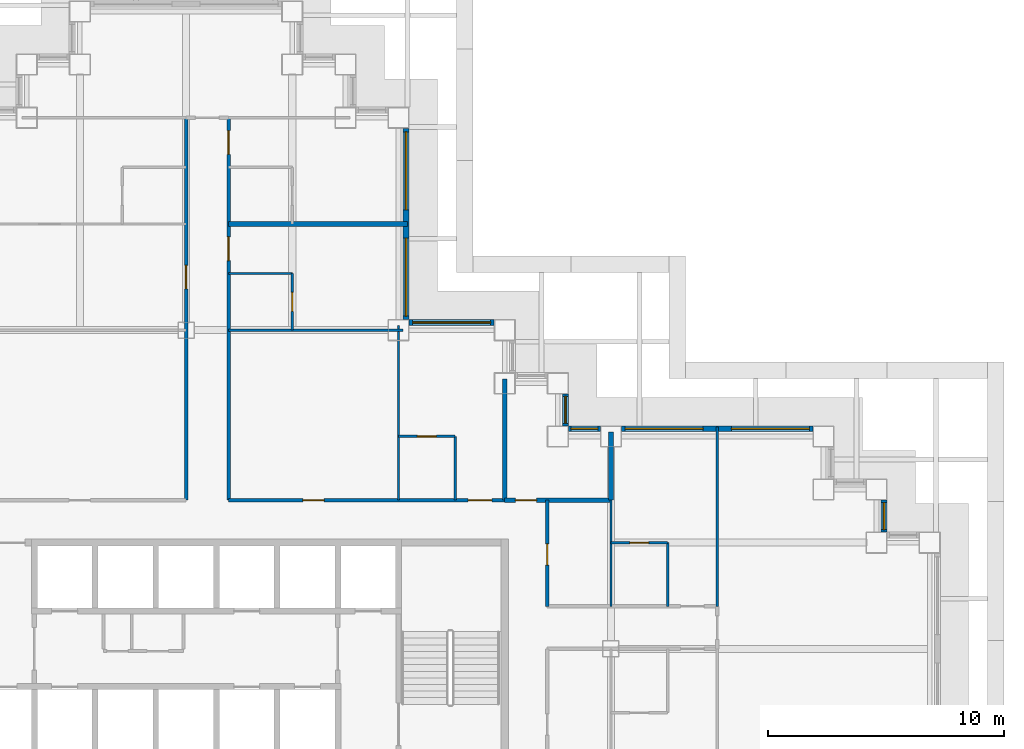
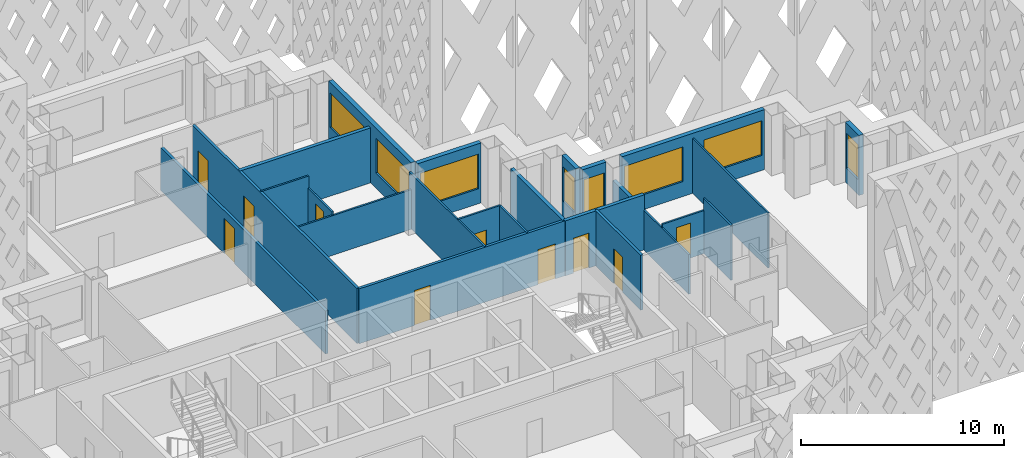
# One storey, part 8 of 21: 24 walls, 10 doors, 8 windows, 18 openings.
"""IFC4 building model written with IfcOpenShell, lengths in metres."""

from ifc_helpers import new_model, si_unit, direction, frame, frame_2d, origin, place, context, subcontext, project, spatial, rectangle, extrude, material, layer, layer_set, type_object, element, fill, save


model = new_model("IFC4")

# Units and contexts
model_context = context("Model", 3, precision=1e-05, world=origin(), true_north=direction((0.0, 1.0)))
body_context = subcontext(model_context, "Body", "Model", "MODEL_VIEW")
ifc_project = project(units=[si_unit("LENGTHUNIT", "METRE"), si_unit("AREAUNIT", "SQUARE_METRE"), si_unit("VOLUMEUNIT", "CUBIC_METRE"), si_unit("PLANEANGLEUNIT", "RADIAN"), si_unit("MASSUNIT", "GRAM", prefix="KILO")], contexts=[model_context])

# Site, building, storey
site_placement = place(None, origin())
site = spatial("IfcSite", under=ifc_project, at=site_placement, CompositionType="ELEMENT")
building_placement = place(site_placement, origin())
building = spatial("IfcBuilding", under=site, at=building_placement, Name="Caravel Reach Hotel and Residences", CompositionType="ELEMENT")
storey_placement = place(building_placement, frame((0.0, 0.0, 115.199951171875)))
storey = spatial("IfcBuildingStorey", under=building, at=storey_placement, Name="L28", CompositionType="ELEMENT", Elevation=115.199951171875)

# Wall, opening, door
ifc_material_1 = material(Name="Gypsum board on steel stud", Category="steel")
ifc_layer_1 = layer(ifc_material_1, 0.10009765625)
ifc_layer_set_1 = layer_set([ifc_layer_1], Name="Bathroom pod wall 100 mm")
wall_type_1 = type_object("IfcWallType", Name="Bathroom pod wall 100 mm", PredefinedType="PARTITIONING", material=ifc_layer_set_1)
wall_1_placement = place(storey_placement, frame((49.5, 31.5, 0.0), z_axis=(0.0, 0.0, 1.0), x_axis=(1.0, 0.0, 0.0)))
wall_1 = element("IfcWall", 1, at=wall_1_placement, inside=storey, type_object=wall_type_1, Name="L28 wall w074", PredefinedType="PARTITIONING", context=body_context, shape_type="SweptSolid", body=[
    extrude(rectangle(XDim=2.39990234375, YDim=0.10009765625, at=frame_2d((1.199951171875, 0.0))), origin(), (0.0, 0.0, 1.0), 2.580078125),
])
opening_1_placement = place(wall_1_placement, frame((0.800048828125, 0.0, 0.0)))
opening_1 = element("IfcOpeningElement", 2, at=opening_1_placement, cuts=wall_1, Name="Opening D28-023", PredefinedType="OPENING", context=body_context, shape_type="SweptSolid", body=[
    extrude(rectangle(XDim=0.800048828125, YDim=2.10009765625, at=frame_2d((0.39990234375, 1.050048828125))), frame((0.0, 0.06005859375, 0.0), z_axis=(0.0, -1.0, 0.0), x_axis=(1.0, 0.0, 0.0)), (0.0, 0.0, 1.0), 0.1201171875),
])
ifc_material_2 = material(Name="Timber and steel door leaf", Category="steel")
door_type_1 = type_object("IfcDoorType", Name="Bathroom door 800 x 2100", OperationType="SINGLE_SWING_LEFT", PredefinedType="DOOR", material=ifc_material_2)
door_1_placement = place(opening_1_placement, origin())
door_1 = element("IfcDoor", 3, at=door_1_placement, inside=storey, type_object=door_type_1, Name="door D28-023", OperationType="SINGLE_SWING_RIGHT", OverallHeight=2.10009765625, OverallWidth=0.800048828125, PredefinedType="DOOR", context=body_context, shape_type="SweptSolid", body=[
    extrude(rectangle(XDim=0.800048828125, YDim=2.10009765625, at=frame_2d((0.39990234375, 1.050048828125))), frame((0.0, 0.02490234375, 0.0), z_axis=(0.0, -1.0, 0.0), x_axis=(1.0, 0.0, 0.0)), (0.0, 0.0, 1.0), 0.050048828125),
])
fill(opening_1, door_1)

wall_2_placement = place(storey_placement, frame((40.5, 36.0, 0.0), z_axis=(0.0, 0.0, 1.0), x_axis=(1.0, 0.0, 0.0)))
wall_2 = element("IfcWall", 4, at=wall_2_placement, inside=storey, type_object=wall_type_1, Name="L28 wall w076", PredefinedType="PARTITIONING", context=body_context, shape_type="SweptSolid", body=[
    extrude(rectangle(XDim=2.39990234375, YDim=0.10009765625, at=frame_2d((1.199951171875, 0.0))), origin(), (0.0, 0.0, 1.0), 3.300048828125),
])
opening_2_placement = place(wall_2_placement, frame((0.800048828125, 0.0, 0.0)))
opening_2 = element("IfcOpeningElement", 5, at=opening_2_placement, cuts=wall_2, Name="Opening D28-043", PredefinedType="OPENING", context=body_context, shape_type="SweptSolid", body=[
    extrude(rectangle(XDim=0.800048828125, YDim=2.10009765625, at=frame_2d((0.39990234375, 1.050048828125))), frame((0.0, 0.06005859375, 0.0), z_axis=(0.0, -1.0, 0.0), x_axis=(1.0, 0.0, 0.0)), (0.0, 0.0, 1.0), 0.1201171875),
])
door_2_placement = place(opening_2_placement, origin())
door_2 = element("IfcDoor", 6, at=door_2_placement, inside=storey, type_object=door_type_1, Name="door D28-043", OperationType="SINGLE_SWING_RIGHT", OverallHeight=2.10009765625, OverallWidth=0.800048828125, PredefinedType="DOOR", context=body_context, shape_type="SweptSolid", body=[
    extrude(rectangle(XDim=0.800048828125, YDim=2.10009765625, at=frame_2d((0.39990234375, 1.050048828125))), frame((0.0, 0.02490234375, 0.0), z_axis=(0.0, -1.0, 0.0), x_axis=(1.0, 0.0, 0.0)), (0.0, 0.0, 1.0), 0.050048828125),
])
fill(opening_2, door_2)

# Wall
wall_3_placement = place(storey_placement, frame((33.300048828125, 42.89990234375, 0.0), z_axis=(0.0, 0.0, 1.0), x_axis=(1.0, 0.0, 0.0)))
element("IfcWall", 7, at=wall_3_placement, inside=storey, type_object=wall_type_1, Name="L28 wall w077", PredefinedType="PARTITIONING", context=body_context, shape_type="SweptSolid", body=[
    extrude(rectangle(XDim=2.699951171875, YDim=0.10009765625, at=frame_2d((1.35009765625, 0.0))), origin(), (0.0, 0.0, 1.0), 3.300048828125),
])

# Wall, opening, door
wall_4_placement = place(storey_placement, frame((36.0, 40.5, 0.0), z_axis=(0.0, 0.0, 1.0), x_axis=(0.0, 1.0, 0.0)))
wall_4 = element("IfcWall", 8, at=wall_4_placement, inside=storey, type_object=wall_type_1, Name="L28 wall w088", PredefinedType="PARTITIONING", context=body_context, shape_type="SweptSolid", body=[
    extrude(rectangle(XDim=2.39990234375, YDim=0.10009765625, at=frame_2d((1.199951171875, 0.0))), origin(), (0.0, 0.0, 1.0), 2.580078125),
])
opening_3_placement = place(wall_4_placement, frame((0.800048828125, 0.0, 0.0)))
opening_3 = element("IfcOpeningElement", 9, at=opening_3_placement, cuts=wall_4, Name="Opening D28-028", PredefinedType="OPENING", context=body_context, shape_type="SweptSolid", body=[
    extrude(rectangle(XDim=0.800048828125, YDim=2.10009765625, at=frame_2d((0.39990234375, 1.050048828125))), frame((0.0, 0.06005859375, 0.0), z_axis=(0.0, -1.0, 0.0), x_axis=(1.0, 0.0, 0.0)), (0.0, 0.0, 1.0), 0.1201171875),
])
door_3_placement = place(opening_3_placement, origin())
door_3 = element("IfcDoor", 10, at=door_3_placement, inside=storey, type_object=door_type_1, Name="door D28-028", OperationType="SINGLE_SWING_RIGHT", OverallHeight=2.10009765625, OverallWidth=0.800048828125, PredefinedType="DOOR", context=body_context, shape_type="SweptSolid", body=[
    extrude(rectangle(XDim=0.800048828125, YDim=2.10009765625, at=frame_2d((0.39990234375, 1.050048828125))), frame((0.0, 0.02490234375, 0.0), z_axis=(0.0, -1.0, 0.0), x_axis=(1.0, 0.0, 0.0)), (0.0, 0.0, 1.0), 0.050048828125),
])
fill(opening_3, door_3)

# Walls
for number, where, z_axis, x_axis, name in (
    (11, (42.89990234375, 33.300048828125, 0.0), (0.0, 0.0, 1.0), (0.0, 1.0, 0.0), "L28 wall w090"),
    (12, (51.89990234375, 28.800048828125, 0.0), (0.0, 0.0, 1.0), (0.0, 1.0, 0.0), "L28 wall w092"),
):
    element("IfcWall", number, at=place(storey_placement, frame(where, z_axis=z_axis, x_axis=x_axis)), inside=storey, type_object=wall_type_1, Name=name, PredefinedType="PARTITIONING", context=body_context, shape_type="SweptSolid", body=[
        extrude(rectangle(XDim=2.699951171875, YDim=0.10009765625, at=frame_2d((1.35009765625, 0.0))), origin(), (0.0, 0.0, 1.0), 3.300048828125),
    ])

# Wall, opening, door
ifc_material_3 = material(Name="Autoclaved aerated block wall")
ifc_layer_2 = layer(ifc_material_3, 0.199951171875)
ifc_layer_set_2 = layer_set([ifc_layer_2], Name="Compartment wall 200 mm EI 120")
wall_type_2 = type_object("IfcWallType", Name="Compartment wall 200 mm EI 120", PredefinedType="PARTITIONING", material=ifc_layer_set_2)
wall_5_placement = place(storey_placement, frame((45.0, 33.300048828125, 0.0), z_axis=(0.0, 0.0, 1.0), x_axis=(1.0, 0.0, 0.0)))
wall_5 = element("IfcWall", 13, at=wall_5_placement, inside=storey, type_object=wall_type_2, Name="L28 wall w094", PredefinedType="PARTITIONING", context=body_context, shape_type="SweptSolid", body=[
    extrude(rectangle(XDim=4.5, YDim=0.199951171875, at=frame_2d((2.25, 0.0))), origin(), (0.0, 0.0, 1.0), 3.300048828125),
])
opening_4_placement = place(wall_5_placement, frame((0.449951171875, 0.0, 0.0)))
opening_4 = element("IfcOpeningElement", 14, at=opening_4_placement, cuts=wall_5, Name="Opening D28-044", PredefinedType="OPENING", context=body_context, shape_type="SweptSolid", body=[
    extrude(rectangle(XDim=0.89990234375, YDim=2.10009765625, at=frame_2d((0.449951171875, 1.050048828125))), frame((0.0, 0.10986328125, 0.0), z_axis=(0.0, -1.0, 0.0), x_axis=(1.0, 0.0, 0.0)), (0.0, 0.0, 1.0), 0.219970703125),
])
ifc_material_4 = material(Name="Steel fire door leaf", Category="steel")
door_type_2 = type_object("IfcDoorType", Name="Riser door 900 x 2100 EI 60", OperationType="SINGLE_SWING_LEFT", PredefinedType="DOOR", material=ifc_material_4)
door_4_placement = place(opening_4_placement, origin())
door_4 = element("IfcDoor", 15, at=door_4_placement, inside=storey, type_object=door_type_2, Name="door D28-044", OperationType="SINGLE_SWING_LEFT", OverallHeight=2.10009765625, OverallWidth=0.89990234375, PredefinedType="DOOR", context=body_context, shape_type="SweptSolid", body=[
    extrude(rectangle(XDim=0.89990234375, YDim=2.10009765625, at=frame_2d((0.449951171875, 1.050048828125))), frame((0.0, 0.02490234375, 0.0), z_axis=(0.0, -1.0, 0.0), x_axis=(1.0, 0.0, 0.0)), (0.0, 0.0, 1.0), 0.050048828125),
])
fill(opening_4, door_4)

# Walls
wall_6_placement = place(storey_placement, frame((45.0, 33.300048828125, 0.0), z_axis=(0.0, 0.0, 1.0), x_axis=(0.0, 1.0, 0.0)))
element("IfcWall", 16, at=wall_6_placement, inside=storey, type_object=wall_type_2, Name="L28 wall w096", PredefinedType="PARTITIONING", context=body_context, shape_type="SweptSolid", body=[
    extrude(rectangle(XDim=5.139892578125, YDim=0.199951171875, at=frame_2d((2.56982421875, 0.0))), origin(), (0.0, 0.0, 1.0), 3.300048828125),
])
wall_7_placement = place(storey_placement, frame((49.5, 33.300048828125, 0.0), z_axis=(0.0, 0.0, 1.0), x_axis=(0.0, 1.0, 0.0)))
element("IfcWall", 17, at=wall_7_placement, inside=storey, type_object=wall_type_2, Name="L28 wall w097", PredefinedType="PARTITIONING", context=body_context, shape_type="SweptSolid", body=[
    extrude(rectangle(XDim=2.889892578125, YDim=0.199951171875, at=frame_2d((1.44482421875, 0.0))), origin(), (0.0, 0.0, 1.0), 2.380126953125),
])

# Wall, openings, doors
ifc_material_5 = material(Name="Gypsum board on steel stud, fire-rated", Category="steel")
ifc_layer_3 = layer(ifc_material_5, 0.14990234375)
ifc_layer_set_3 = layer_set([ifc_layer_3], Name="Corridor wall 150 mm EI 60")
wall_type_3 = type_object("IfcWallType", Name="Corridor wall 150 mm EI 60", PredefinedType="PARTITIONING", material=ifc_layer_set_3)
wall_8_placement = place(storey_placement, frame((33.300048828125, 33.300048828125, 0.0), z_axis=(0.0, 0.0, 1.0), x_axis=(1.0, 0.0, 0.0)))
wall_8 = element("IfcWall", 18, at=wall_8_placement, inside=storey, type_object=wall_type_3, Name="L28 wall w017", PredefinedType="PARTITIONING", context=body_context, shape_type="SweptSolid", body=[
    extrude(rectangle(XDim=11.699951171875, YDim=0.14990234375, at=frame_2d((5.85009765625, 0.0))), origin(), (0.0, 0.0, 1.0), 3.300048828125),
])
opening_5_placement = place(wall_8_placement, frame((10.14990234375, 0.0, 0.0)))
opening_5 = element("IfcOpeningElement", 19, at=opening_5_placement, cuts=wall_8, Name="Opening D28-042", PredefinedType="OPENING", context=body_context, shape_type="SweptSolid", body=[
    extrude(rectangle(XDim=1.0, YDim=2.10009765625, at=frame_2d((0.5, 1.050048828125))), frame((0.0, 0.0849609375, 0.0), z_axis=(0.0, -1.0, 0.0), x_axis=(1.0, 0.0, 0.0)), (0.0, 0.0, 1.0), 0.169921875),
])
opening_6_placement = place(wall_8_placement, frame((3.14990234375, 0.0, 0.0)))
opening_6 = element("IfcOpeningElement", 20, at=opening_6_placement, cuts=wall_8, Name="Opening D28-051", PredefinedType="OPENING", context=body_context, shape_type="SweptSolid", body=[
    extrude(rectangle(XDim=0.89990234375, YDim=2.10009765625, at=frame_2d((0.449951171875, 1.050048828125))), frame((0.0, 0.0849609375, 0.0), z_axis=(0.0, -1.0, 0.0), x_axis=(1.0, 0.0, 0.0)), (0.0, 0.0, 1.0), 0.169921875),
])
ifc_material_6 = material(Name="Timber and steel door leaf", Category="steel")
door_type_3 = type_object("IfcDoorType", Name="Door 900 x 2100 timber", OperationType="SINGLE_SWING_LEFT", PredefinedType="DOOR", material=ifc_material_6)
door_5_placement = place(opening_6_placement, origin())
door_5 = element("IfcDoor", 21, at=door_5_placement, inside=storey, type_object=door_type_3, Name="door D28-051", OperationType="SINGLE_SWING_LEFT", OverallHeight=2.10009765625, OverallWidth=0.89990234375, PredefinedType="DOOR", context=body_context, shape_type="SweptSolid", body=[
    extrude(rectangle(XDim=0.89990234375, YDim=2.10009765625, at=frame_2d((0.449951171875, 1.050048828125))), frame((0.0, 0.02490234375, 0.0), z_axis=(0.0, -1.0, 0.0), x_axis=(1.0, 0.0, 0.0)), (0.0, 0.0, 1.0), 0.050048828125),
])
fill(opening_6, door_5)
ifc_material_7 = material(Name="Steel fire door leaf", Category="steel")
door_type_4 = type_object("IfcDoorType", Name="Guest room door 1000 x 2100 EI 30", OperationType="SINGLE_SWING_LEFT", PredefinedType="DOOR", material=ifc_material_7)
door_6_placement = place(opening_5_placement, origin())
door_6 = element("IfcDoor", 22, at=door_6_placement, inside=storey, type_object=door_type_4, Name="door D28-042", OperationType="SINGLE_SWING_RIGHT", OverallHeight=2.10009765625, OverallWidth=1.0, PredefinedType="DOOR", context=body_context, shape_type="SweptSolid", body=[
    extrude(rectangle(XDim=1.0, YDim=2.10009765625, at=frame_2d((0.5, 1.050048828125))), frame((0.0, 0.02490234375, 0.0), z_axis=(0.0, -1.0, 0.0), x_axis=(1.0, 0.0, 0.0)), (0.0, 0.0, 1.0), 0.050048828125),
])
fill(opening_5, door_6)

# Wall, opening, door
wall_9_placement = place(storey_placement, frame((31.5, 33.300048828125, 0.0), z_axis=(0.0, 0.0, 1.0), x_axis=(0.0, 1.0, 0.0)))
wall_9 = element("IfcWall", 23, at=wall_9_placement, inside=storey, type_object=wall_type_3, Name="L28 wall w026", PredefinedType="PARTITIONING", context=body_context, shape_type="SweptSolid", body=[
    extrude(rectangle(XDim=16.199951171875, YDim=0.14990234375, at=frame_2d((8.10009765625, 0.0))), origin(), (0.0, 0.0, 1.0), 2.580078125),
])
opening_7_placement = place(wall_9_placement, frame((8.949951171875, 0.0, 0.0)))
opening_7 = element("IfcOpeningElement", 24, at=opening_7_placement, cuts=wall_9, Name="Opening D28-024", PredefinedType="OPENING", context=body_context, shape_type="SweptSolid", body=[
    extrude(rectangle(XDim=1.0, YDim=2.10009765625, at=frame_2d((0.5, 1.050048828125))), frame((0.0, 0.0849609375, 0.0), z_axis=(0.0, -1.0, 0.0), x_axis=(1.0, 0.0, 0.0)), (0.0, 0.0, 1.0), 0.169921875),
])
door_7_placement = place(opening_7_placement, origin())
door_7 = element("IfcDoor", 25, at=door_7_placement, inside=storey, type_object=door_type_4, Name="door D28-024", OperationType="SINGLE_SWING_LEFT", OverallHeight=2.10009765625, OverallWidth=1.0, PredefinedType="DOOR", context=body_context, shape_type="SweptSolid", body=[
    extrude(rectangle(XDim=1.0, YDim=2.10009765625, at=frame_2d((0.5, 1.050048828125))), frame((0.0, 0.02490234375, 0.0), z_axis=(0.0, -1.0, 0.0), x_axis=(1.0, 0.0, 0.0)), (0.0, 0.0, 1.0), 0.050048828125),
])
fill(opening_7, door_7)

# Wall, openings, doors
wall_10_placement = place(storey_placement, frame((33.300048828125, 33.300048828125, 0.0), z_axis=(0.0, 0.0, 1.0), x_axis=(0.0, 1.0, 0.0)))
wall_10 = element("IfcWall", 26, at=wall_10_placement, inside=storey, type_object=wall_type_3, Name="L28 wall w032", PredefinedType="PARTITIONING", context=body_context, shape_type="SweptSolid", body=[
    extrude(rectangle(XDim=16.199951171875, YDim=0.14990234375, at=frame_2d((8.10009765625, 0.0))), origin(), (0.0, 0.0, 1.0), 3.300048828125),
])
opening_8_placement = place(wall_10_placement, frame((10.14990234375, 0.0, 0.0)))
opening_8 = element("IfcOpeningElement", 27, at=opening_8_placement, cuts=wall_10, Name="Opening D28-027", PredefinedType="OPENING", context=body_context, shape_type="SweptSolid", body=[
    extrude(rectangle(XDim=1.0, YDim=2.10009765625, at=frame_2d((0.5, 1.050048828125))), frame((0.0, 0.0849609375, 0.0), z_axis=(0.0, -1.0, 0.0), x_axis=(1.0, 0.0, 0.0)), (0.0, 0.0, 1.0), 0.169921875),
])
opening_9_placement = place(wall_10_placement, frame((14.64990234375, 0.0, 0.0)))
opening_9 = element("IfcOpeningElement", 28, at=opening_9_placement, cuts=wall_10, Name="Opening D28-029", PredefinedType="OPENING", context=body_context, shape_type="SweptSolid", body=[
    extrude(rectangle(XDim=1.0, YDim=2.10009765625, at=frame_2d((0.5, 1.050048828125))), frame((0.0, 0.0849609375, 0.0), z_axis=(0.0, -1.0, 0.0), x_axis=(1.0, 0.0, 0.0)), (0.0, 0.0, 1.0), 0.169921875),
])
door_8_placement = place(opening_8_placement, origin())
door_8 = element("IfcDoor", 29, at=door_8_placement, inside=storey, type_object=door_type_4, Name="door D28-027", OperationType="SINGLE_SWING_RIGHT", OverallHeight=2.10009765625, OverallWidth=1.0, PredefinedType="DOOR", context=body_context, shape_type="SweptSolid", body=[
    extrude(rectangle(XDim=1.0, YDim=2.10009765625, at=frame_2d((0.5, 1.050048828125))), frame((0.0, 0.02490234375, 0.0), z_axis=(0.0, -1.0, 0.0), x_axis=(1.0, 0.0, 0.0)), (0.0, 0.0, 1.0), 0.050048828125),
])
fill(opening_8, door_8)
door_9_placement = place(opening_9_placement, origin())
door_9 = element("IfcDoor", 30, at=door_9_placement, inside=storey, type_object=door_type_4, Name="door D28-029", OperationType="SINGLE_SWING_RIGHT", OverallHeight=2.10009765625, OverallWidth=1.0, PredefinedType="DOOR", context=body_context, shape_type="SweptSolid", body=[
    extrude(rectangle(XDim=1.0, YDim=2.10009765625, at=frame_2d((0.5, 1.050048828125))), frame((0.0, 0.02490234375, 0.0), z_axis=(0.0, -1.0, 0.0), x_axis=(1.0, 0.0, 0.0)), (0.0, 0.0, 1.0), 0.050048828125),
])
fill(opening_9, door_9)

# Wall, opening, door
wall_11_placement = place(storey_placement, frame((46.800048828125, 28.800048828125, 0.0), z_axis=(0.0, 0.0, 1.0), x_axis=(0.0, 1.0, 0.0)))
wall_11 = element("IfcWall", 31, at=wall_11_placement, inside=storey, type_object=wall_type_3, Name="L28 wall w033", PredefinedType="PARTITIONING", context=body_context, shape_type="SweptSolid", body=[
    extrude(rectangle(XDim=4.5, YDim=0.14990234375, at=frame_2d((2.25, 0.0))), origin(), (0.0, 0.0, 1.0), 3.300048828125),
])
opening_10_placement = place(wall_11_placement, frame((1.75, 0.0, 0.0)))
opening_10 = element("IfcOpeningElement", 32, at=opening_10_placement, cuts=wall_11, Name="Opening D28-057", PredefinedType="OPENING", context=body_context, shape_type="SweptSolid", body=[
    extrude(rectangle(XDim=0.89990234375, YDim=2.10009765625, at=frame_2d((0.449951171875, 1.050048828125))), frame((0.0, 0.0849609375, 0.0), z_axis=(0.0, -1.0, 0.0), x_axis=(1.0, 0.0, 0.0)), (0.0, 0.0, 1.0), 0.169921875),
])
door_10_placement = place(opening_10_placement, origin())
door_10 = element("IfcDoor", 33, at=door_10_placement, inside=storey, type_object=door_type_3, Name="door D28-057", OperationType="SINGLE_SWING_RIGHT", OverallHeight=2.10009765625, OverallWidth=0.89990234375, PredefinedType="DOOR", context=body_context, shape_type="SweptSolid", body=[
    extrude(rectangle(XDim=0.89990234375, YDim=2.10009765625, at=frame_2d((0.449951171875, 1.050048828125))), frame((0.0, 0.02490234375, 0.0), z_axis=(0.0, -1.0, 0.0), x_axis=(1.0, 0.0, 0.0)), (0.0, 0.0, 1.0), 0.050048828125),
])
fill(opening_10, door_10)

# Wall, opening, window
ifc_material_8 = material(Name="Insulated rainscreen wall, aluminium cladding", Category="aluminium")
ifc_layer_4 = layer(ifc_material_8, 0.25)
ifc_layer_set_4 = layer_set([ifc_layer_4], Name="EW1 Tower rainscreen wall")
wall_type_4 = type_object("IfcWallType", Name="EW1 Tower rainscreen wall", PredefinedType="SOLIDWALL", material=ifc_layer_set_4)
wall_12_placement = place(storey_placement, frame((61.074951171875, 31.949951171875, 0.0), z_axis=(0.0, 0.0, 1.0), x_axis=(0.0, 1.0, 0.0)))
wall_12 = element("IfcWall", 34, at=wall_12_placement, inside=storey, type_object=wall_type_4, Name="External wall L28 E22.1", PredefinedType="SOLIDWALL", context=body_context, shape_type="SweptSolid", body=[
    extrude(rectangle(XDim=1.35009765625, YDim=0.25, at=frame_2d((0.675048828125, 0.0))), origin(), (0.0, 0.0, 1.0), 3.60009765625),
])
opening_11_placement = place(wall_12_placement, frame((0.10009765625, 0.0, 0.89990234375)))
opening_11 = element("IfcOpeningElement", 35, at=opening_11_placement, cuts=wall_12, Name="Opening WN8", PredefinedType="OPENING", context=body_context, shape_type="SweptSolid", body=[
    extrude(rectangle(XDim=1.14990234375, YDim=2.080078125, at=frame_2d((0.574951171875, 1.0400390625))), frame((0.0, 0.135009765625, 0.0), z_axis=(0.0, -1.0, 0.0), x_axis=(1.0, 0.0, 0.0)), (0.0, 0.0, 1.0), 0.27001953125),
])
ifc_material_9 = material(Name="Dark low-e glazing in black aluminium frame", Category="aluminium")
window_type_1 = type_object("IfcWindowType", Name="Hotel suite corner window 1150 x 2080", PartitioningType="SINGLE_PANEL", PredefinedType="WINDOW", material=ifc_material_9)
window_1_placement = place(opening_11_placement, origin())
window_1 = element("IfcWindow", 36, at=window_1_placement, inside=storey, type_object=window_type_1, Name="Window L28 E22.1.1", OverallHeight=2.080078125, OverallWidth=1.14990234375, PartitioningType="SINGLE_PANEL", PredefinedType="WINDOW", context=body_context, shape_type="SweptSolid", body=[
    extrude(rectangle(XDim=1.14990234375, YDim=2.080078125, at=frame_2d((0.574951171875, 1.0400390625))), frame((0.0, 0.030029296875, 0.0), z_axis=(0.0, -1.0, 0.0), x_axis=(1.0, 0.0, 0.0)), (0.0, 0.0, 1.0), 0.06005859375),
])
fill(opening_11, window_1)

# Wall, openings, windows
wall_13_placement = place(storey_placement, frame((58.050048828125, 36.324951171875, 0.0), z_axis=(0.0, 0.0, 1.0), x_axis=(-1.0, 0.0, 0.0)))
wall_13 = element("IfcWall", 37, at=wall_13_placement, inside=storey, type_object=wall_type_4, Name="External wall L28 N25.1", PredefinedType="SOLIDWALL", context=body_context, shape_type="SweptSolid", body=[
    extrude(rectangle(XDim=8.10009765625, YDim=0.25, at=frame_2d((4.050048828125, 0.0))), origin(), (0.0, 0.0, 1.0), 3.60009765625),
])
opening_12_placement = place(wall_13_placement, frame((0.14990234375, 0.0, 0.89990234375)))
opening_12 = element("IfcOpeningElement", 38, at=opening_12_placement, cuts=wall_13, Name="Opening WN4", PredefinedType="OPENING", context=body_context, shape_type="SweptSolid", body=[
    extrude(rectangle(XDim=3.300048828125, YDim=2.080078125, at=frame_2d((1.64990234375, 1.0400390625))), frame((0.0, 0.135009765625, 0.0), z_axis=(0.0, -1.0, 0.0), x_axis=(1.0, 0.0, 0.0)), (0.0, 0.0, 1.0), 0.27001953125),
])
opening_13_placement = place(wall_13_placement, frame((4.64990234375, 0.0, 0.89990234375)))
opening_13 = element("IfcOpeningElement", 39, at=opening_13_placement, cuts=wall_13, Name="Opening WN4", PredefinedType="OPENING", context=body_context, shape_type="SweptSolid", body=[
    extrude(rectangle(XDim=3.300048828125, YDim=2.080078125, at=frame_2d((1.64990234375, 1.0400390625))), frame((0.0, 0.135009765625, 0.0), z_axis=(0.0, -1.0, 0.0), x_axis=(1.0, 0.0, 0.0)), (0.0, 0.0, 1.0), 0.27001953125),
])
ifc_material_10 = material(Name="Dark low-e glazing in black aluminium frame", Category="aluminium")
window_type_2 = type_object("IfcWindowType", Name="Hotel guest room window 3300 x 2080", PartitioningType="SINGLE_PANEL", PredefinedType="WINDOW", material=ifc_material_10)
window_2_placement = place(opening_12_placement, origin())
window_2 = element("IfcWindow", 40, at=window_2_placement, inside=storey, type_object=window_type_2, Name="Window L28 N25.1.1", OverallHeight=2.080078125, OverallWidth=3.300048828125, PartitioningType="SINGLE_PANEL", PredefinedType="WINDOW", context=body_context, shape_type="SweptSolid", body=[
    extrude(rectangle(XDim=3.300048828125, YDim=2.080078125, at=frame_2d((1.64990234375, 1.0400390625))), frame((0.0, 0.030029296875, 0.0), z_axis=(0.0, -1.0, 0.0), x_axis=(1.0, 0.0, 0.0)), (0.0, 0.0, 1.0), 0.06005859375),
])
fill(opening_12, window_2)
window_3_placement = place(opening_13_placement, origin())
window_3 = element("IfcWindow", 41, at=window_3_placement, inside=storey, type_object=window_type_2, Name="Window L28 N25.1.2", OverallHeight=2.080078125, OverallWidth=3.300048828125, PartitioningType="SINGLE_PANEL", PredefinedType="WINDOW", context=body_context, shape_type="SweptSolid", body=[
    extrude(rectangle(XDim=3.300048828125, YDim=2.080078125, at=frame_2d((1.64990234375, 1.0400390625))), frame((0.0, 0.030029296875, 0.0), z_axis=(0.0, -1.0, 0.0), x_axis=(1.0, 0.0, 0.0)), (0.0, 0.0, 1.0), 0.06005859375),
])
fill(opening_13, window_3)

# Wall, opening, window
wall_14_placement = place(storey_placement, frame((49.050048828125, 36.324951171875, 0.0), z_axis=(0.0, 0.0, 1.0), x_axis=(-1.0, 0.0, 0.0)))
wall_14 = element("IfcWall", 42, at=wall_14_placement, inside=storey, type_object=wall_type_4, Name="External wall L28 N25.2", PredefinedType="SOLIDWALL", context=body_context, shape_type="SweptSolid", body=[
    extrude(rectangle(XDim=1.35009765625, YDim=0.25, at=frame_2d((0.675048828125, 0.0))), origin(), (0.0, 0.0, 1.0), 3.60009765625),
])
opening_14_placement = place(wall_14_placement, frame((0.10009765625, 0.0, 0.89990234375)))
opening_14 = element("IfcOpeningElement", 43, at=opening_14_placement, cuts=wall_14, Name="Opening WN8", PredefinedType="OPENING", context=body_context, shape_type="SweptSolid", body=[
    extrude(rectangle(XDim=1.14990234375, YDim=2.080078125, at=frame_2d((0.574951171875, 1.0400390625))), frame((0.0, 0.135009765625, 0.0), z_axis=(0.0, -1.0, 0.0), x_axis=(1.0, 0.0, 0.0)), (0.0, 0.0, 1.0), 0.27001953125),
])
window_4_placement = place(opening_14_placement, origin())
window_4 = element("IfcWindow", 44, at=window_4_placement, inside=storey, type_object=window_type_1, Name="Window L28 N25.2.1", OverallHeight=2.080078125, OverallWidth=1.14990234375, PartitioningType="SINGLE_PANEL", PredefinedType="WINDOW", context=body_context, shape_type="SweptSolid", body=[
    extrude(rectangle(XDim=1.14990234375, YDim=2.080078125, at=frame_2d((0.574951171875, 1.0400390625))), frame((0.0, 0.030029296875, 0.0), z_axis=(0.0, -1.0, 0.0), x_axis=(1.0, 0.0, 0.0)), (0.0, 0.0, 1.0), 0.06005859375),
])
fill(opening_14, window_4)

wall_15_placement = place(storey_placement, frame((47.574951171875, 36.449951171875, 0.0), z_axis=(0.0, 0.0, 1.0), x_axis=(0.0, 1.0, 0.0)))
wall_15 = element("IfcWall", 45, at=wall_15_placement, inside=storey, type_object=wall_type_4, Name="External wall L28 E26.1", PredefinedType="SOLIDWALL", context=body_context, shape_type="SweptSolid", body=[
    extrude(rectangle(XDim=1.35009765625, YDim=0.25, at=frame_2d((0.675048828125, 0.0))), origin(), (0.0, 0.0, 1.0), 3.60009765625),
])
opening_15_placement = place(wall_15_placement, frame((0.10009765625, 0.0, 0.89990234375)))
opening_15 = element("IfcOpeningElement", 46, at=opening_15_placement, cuts=wall_15, Name="Opening WN8", PredefinedType="OPENING", context=body_context, shape_type="SweptSolid", body=[
    extrude(rectangle(XDim=1.14990234375, YDim=2.080078125, at=frame_2d((0.574951171875, 1.0400390625))), frame((0.0, 0.135009765625, 0.0), z_axis=(0.0, -1.0, 0.0), x_axis=(1.0, 0.0, 0.0)), (0.0, 0.0, 1.0), 0.27001953125),
])
window_5_placement = place(opening_15_placement, origin())
window_5 = element("IfcWindow", 47, at=window_5_placement, inside=storey, type_object=window_type_1, Name="Window L28 E26.1.1", OverallHeight=2.080078125, OverallWidth=1.14990234375, PartitioningType="SINGLE_PANEL", PredefinedType="WINDOW", context=body_context, shape_type="SweptSolid", body=[
    extrude(rectangle(XDim=1.14990234375, YDim=2.080078125, at=frame_2d((0.574951171875, 1.0400390625))), frame((0.0, 0.030029296875, 0.0), z_axis=(0.0, -1.0, 0.0), x_axis=(1.0, 0.0, 0.0)), (0.0, 0.0, 1.0), 0.06005859375),
])
fill(opening_15, window_5)

wall_16_placement = place(storey_placement, frame((44.550048828125, 40.824951171875, 0.0), z_axis=(0.0, 0.0, 1.0), x_axis=(-1.0, 0.0, 0.0)))
wall_16 = element("IfcWall", 48, at=wall_16_placement, inside=storey, type_object=wall_type_4, Name="External wall L28 N29.1", PredefinedType="SOLIDWALL", context=body_context, shape_type="SweptSolid", body=[
    extrude(rectangle(XDim=3.60009765625, YDim=0.25, at=frame_2d((1.800048828125, 0.0))), origin(), (0.0, 0.0, 1.0), 3.60009765625),
])
opening_16_placement = place(wall_16_placement, frame((0.14990234375, 0.0, 0.89990234375)))
opening_16 = element("IfcOpeningElement", 49, at=opening_16_placement, cuts=wall_16, Name="Opening WN4", PredefinedType="OPENING", context=body_context, shape_type="SweptSolid", body=[
    extrude(rectangle(XDim=3.300048828125, YDim=2.080078125, at=frame_2d((1.64990234375, 1.0400390625))), frame((0.0, 0.135009765625, 0.0), z_axis=(0.0, -1.0, 0.0), x_axis=(1.0, 0.0, 0.0)), (0.0, 0.0, 1.0), 0.27001953125),
])
window_6_placement = place(opening_16_placement, origin())
window_6 = element("IfcWindow", 50, at=window_6_placement, inside=storey, type_object=window_type_2, Name="Window L28 N29.1.1", OverallHeight=2.080078125, OverallWidth=3.300048828125, PartitioningType="SINGLE_PANEL", PredefinedType="WINDOW", context=body_context, shape_type="SweptSolid", body=[
    extrude(rectangle(XDim=3.300048828125, YDim=2.080078125, at=frame_2d((1.64990234375, 1.0400390625))), frame((0.0, 0.030029296875, 0.0), z_axis=(0.0, -1.0, 0.0), x_axis=(1.0, 0.0, 0.0)), (0.0, 0.0, 1.0), 0.06005859375),
])
fill(opening_16, window_6)

# Wall, openings, windows
wall_17_placement = place(storey_placement, frame((40.824951171875, 40.949951171875, 0.0), z_axis=(0.0, 0.0, 1.0), x_axis=(0.0, 1.0, 0.0)))
wall_17 = element("IfcWall", 51, at=wall_17_placement, inside=storey, type_object=wall_type_4, Name="External wall L28 E30.1", PredefinedType="SOLIDWALL", context=body_context, shape_type="SweptSolid", body=[
    extrude(rectangle(XDim=8.10009765625, YDim=0.25, at=frame_2d((4.050048828125, 0.0))), origin(), (0.0, 0.0, 1.0), 3.60009765625),
])
opening_17_placement = place(wall_17_placement, frame((0.14990234375, 0.0, 0.89990234375)))
opening_17 = element("IfcOpeningElement", 52, at=opening_17_placement, cuts=wall_17, Name="Opening WN4", PredefinedType="OPENING", context=body_context, shape_type="SweptSolid", body=[
    extrude(rectangle(XDim=3.300048828125, YDim=2.080078125, at=frame_2d((1.64990234375, 1.0400390625))), frame((0.0, 0.135009765625, 0.0), z_axis=(0.0, -1.0, 0.0), x_axis=(1.0, 0.0, 0.0)), (0.0, 0.0, 1.0), 0.27001953125),
])
opening_18_placement = place(wall_17_placement, frame((4.64990234375, 0.0, 0.89990234375)))
opening_18 = element("IfcOpeningElement", 53, at=opening_18_placement, cuts=wall_17, Name="Opening WN4", PredefinedType="OPENING", context=body_context, shape_type="SweptSolid", body=[
    extrude(rectangle(XDim=3.300048828125, YDim=2.080078125, at=frame_2d((1.64990234375, 1.0400390625))), frame((0.0, 0.135009765625, 0.0), z_axis=(0.0, -1.0, 0.0), x_axis=(1.0, 0.0, 0.0)), (0.0, 0.0, 1.0), 0.27001953125),
])
window_7_placement = place(opening_17_placement, origin())
window_7 = element("IfcWindow", 54, at=window_7_placement, inside=storey, type_object=window_type_2, Name="Window L28 E30.1.1", OverallHeight=2.080078125, OverallWidth=3.300048828125, PartitioningType="SINGLE_PANEL", PredefinedType="WINDOW", context=body_context, shape_type="SweptSolid", body=[
    extrude(rectangle(XDim=3.300048828125, YDim=2.080078125, at=frame_2d((1.64990234375, 1.0400390625))), frame((0.0, 0.030029296875, 0.0), z_axis=(0.0, -1.0, 0.0), x_axis=(1.0, 0.0, 0.0)), (0.0, 0.0, 1.0), 0.06005859375),
])
fill(opening_17, window_7)
window_8_placement = place(opening_18_placement, origin())
window_8 = element("IfcWindow", 55, at=window_8_placement, inside=storey, type_object=window_type_2, Name="Window L28 E30.1.2", OverallHeight=2.080078125, OverallWidth=3.300048828125, PartitioningType="SINGLE_PANEL", PredefinedType="WINDOW", context=body_context, shape_type="SweptSolid", body=[
    extrude(rectangle(XDim=3.300048828125, YDim=2.080078125, at=frame_2d((1.64990234375, 1.0400390625))), frame((0.0, 0.030029296875, 0.0), z_axis=(0.0, -1.0, 0.0), x_axis=(1.0, 0.0, 0.0)), (0.0, 0.0, 1.0), 0.06005859375),
])
fill(opening_18, window_8)

# Walls
ifc_material_11 = material(Name="Gypsum board on steel stud", Category="steel")
ifc_layer_5 = layer(ifc_material_11, 0.10009765625)
ifc_layer_set_5 = layer_set([ifc_layer_5], Name="Partition 100 mm")
wall_type_5 = type_object("IfcWallType", Name="Partition 100 mm", PredefinedType="PARTITIONING", material=ifc_layer_set_5)
wall_18_placement = place(storey_placement, frame((33.300048828125, 40.5, 0.0), z_axis=(0.0, 0.0, 1.0), x_axis=(1.0, 0.0, 0.0)))
element("IfcWall", 56, at=wall_18_placement, inside=storey, type_object=wall_type_5, Name="L28 wall w042", PredefinedType="PARTITIONING", context=body_context, shape_type="SweptSolid", body=[
    extrude(rectangle(XDim=7.389892578125, YDim=0.10009765625, at=frame_2d((3.69482421875, 0.0))), origin(), (0.0, 0.0, 1.0), 2.380126953125),
])
wall_19_placement = place(storey_placement, frame((40.5, 33.300048828125, 0.0), z_axis=(0.0, 0.0, 1.0), x_axis=(0.0, 1.0, 0.0)))
element("IfcWall", 57, at=wall_19_placement, inside=storey, type_object=wall_type_5, Name="L28 wall w055", PredefinedType="PARTITIONING", context=body_context, shape_type="SweptSolid", body=[
    extrude(rectangle(XDim=7.389892578125, YDim=0.10009765625, at=frame_2d((3.69482421875, 0.0))), origin(), (0.0, 0.0, 1.0), 3.300048828125),
])
wall_20_placement = place(storey_placement, frame((49.5, 28.800048828125, 0.0), z_axis=(0.0, 0.0, 1.0), x_axis=(0.0, 1.0, 0.0)))
element("IfcWall", 58, at=wall_20_placement, inside=storey, type_object=wall_type_5, Name="L28 wall w058", PredefinedType="PARTITIONING", context=body_context, shape_type="SweptSolid", body=[
    extrude(rectangle(XDim=4.5, YDim=0.10009765625, at=frame_2d((2.25, 0.0))), origin(), (0.0, 0.0, 1.0), 2.380126953125),
])
wall_21_placement = place(storey_placement, frame((54.0, 28.800048828125, 0.0), z_axis=(0.0, 0.0, 1.0), x_axis=(0.0, 1.0, 0.0)))
element("IfcWall", 59, at=wall_21_placement, inside=storey, type_object=wall_type_5, Name="L28 wall w061", PredefinedType="PARTITIONING", context=body_context, shape_type="SweptSolid", body=[
    extrude(rectangle(XDim=7.58984375, YDim=0.10009765625, at=frame_2d((3.794921875, 0.0))), origin(), (0.0, 0.0, 1.0), 3.300048828125),
])
ifc_material_12 = material(Name="Autoclaved aerated block wall")
ifc_layer_6 = layer(ifc_material_12, 0.199951171875)
ifc_layer_set_6 = layer_set([ifc_layer_6], Name="Party wall 200 mm EI 60")
wall_type_6 = type_object("IfcWallType", Name="Party wall 200 mm EI 60", PredefinedType="PARTITIONING", material=ifc_layer_set_6)
wall_22_placement = place(storey_placement, frame((33.300048828125, 45.0, 0.0), z_axis=(0.0, 0.0, 1.0), x_axis=(1.0, 0.0, 0.0)))
element("IfcWall", 60, at=wall_22_placement, inside=storey, type_object=wall_type_6, Name="L28 wall w065", PredefinedType="PARTITIONING", context=body_context, shape_type="SweptSolid", body=[
    extrude(rectangle(XDim=7.58984375, YDim=0.199951171875, at=frame_2d((3.794921875, 0.0))), origin(), (0.0, 0.0, 1.0), 3.300048828125),
])

save(model, "model.ifc")
